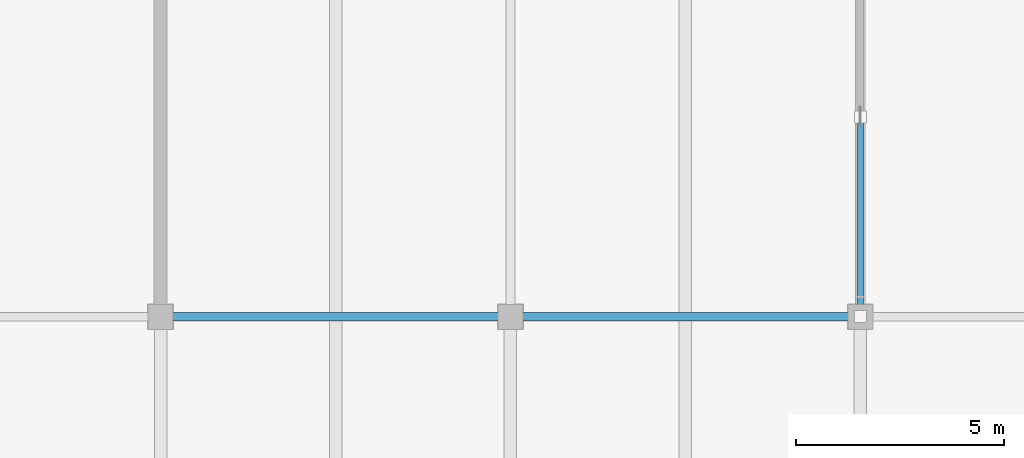
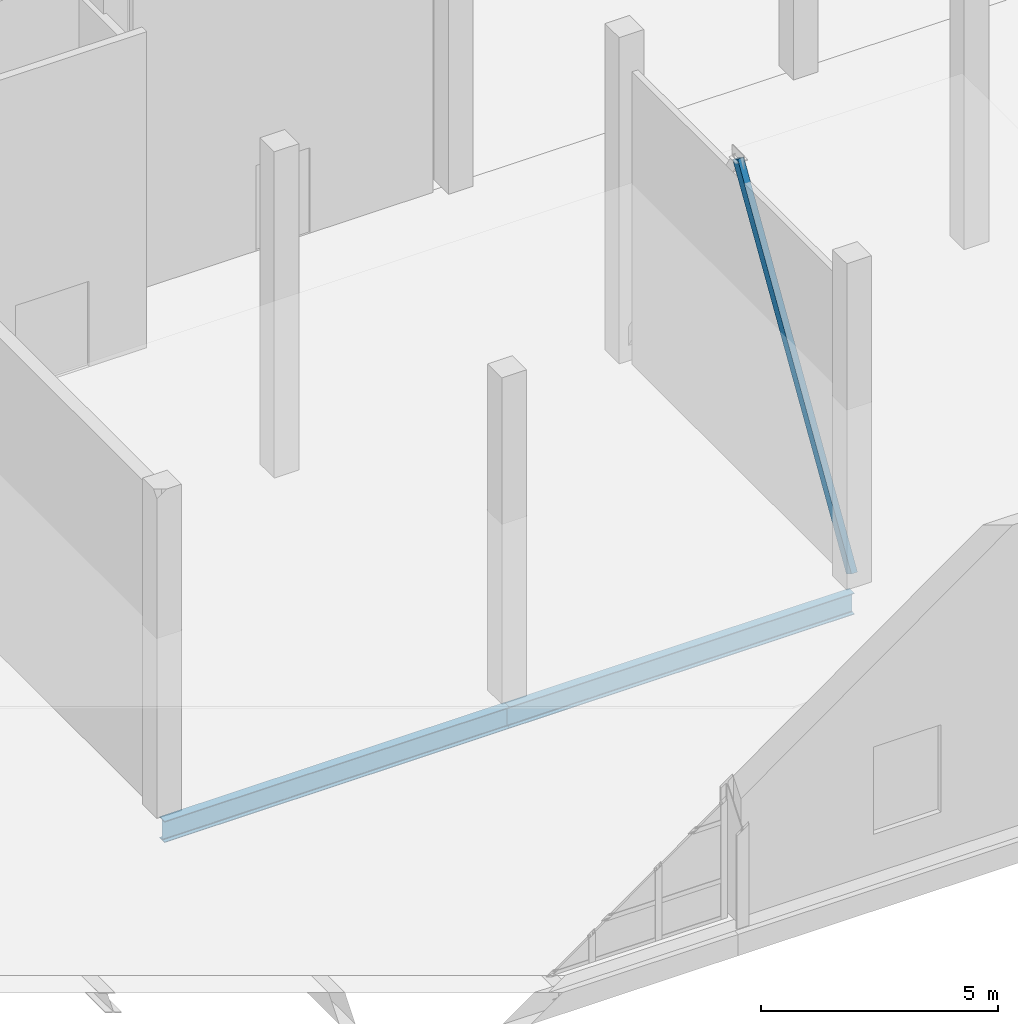
# One storey, part 84 of 131: 2 beams, 1 member.
"""IFC4 building model written with IfcOpenShell, lengths in metres."""

from ifc_helpers import new_model, si_unit, direction, frame, origin, origin_2d, place, context, subcontext, project, spatial, hollow_rectangle, i_section, extrude, material, material_profile, profile_set, type_object, element, save


model = new_model("IFC4")

# Units and contexts
model_context = context("Model", 3, precision=1e-05, world=origin(), true_north=direction((0.0, 1.0)))
body_context = subcontext(model_context, "Body", "Model", "MODEL_VIEW")
ifc_project = project(units=[si_unit("LENGTHUNIT", "METRE"), si_unit("AREAUNIT", "SQUARE_METRE"), si_unit("VOLUMEUNIT", "CUBIC_METRE"), si_unit("PLANEANGLEUNIT", "RADIAN"), si_unit("MASSUNIT", "GRAM", prefix="KILO")], contexts=[model_context])

# Site, building, storey
site_placement = place(None, origin())
site = spatial("IfcSite", under=ifc_project, at=site_placement, CompositionType="ELEMENT")
building_placement = place(site_placement, origin())
building = spatial("IfcBuilding", under=site, at=building_placement, Name="Veltarok Museum of Natural Sciences", CompositionType="ELEMENT")
storey_placement = place(building_placement, origin())
storey = spatial("IfcBuildingStorey", under=building, at=storey_placement, Name="L00", CompositionType="ELEMENT", Elevation=0.0)

# Beams
ifc_material_1 = material(Name="Steel S355J2", Category="steel")
ifc_material_profile_1 = material_profile(ifc_material_1, i_section(OverallWidth=0.2099609375, OverallDepth=0.550048828125, WebThickness=0.010986328125, FlangeThickness=0.01708984375, FilletRadius=0.02392578125, at=origin_2d()), Name="IPE 550")
ifc_profile_set_1 = profile_set([ifc_material_profile_1], Name="Steel S355J2")
beam_type = type_object("IfcBeamType", Name="Archive Heavy Girder IPE 550", PredefinedType="BEAM", material=ifc_profile_set_1)
beam_1_placement = place(storey_placement, frame((132.39990234375, 9.60009765625, -0.574951171875), z_axis=(1.0, 0.0, 0.0), x_axis=(0.0, 1.0, 0.0)))
element("IfcBeam", 1, at=beam_1_placement, inside=storey, type_object=beam_type, Name="Beam BM-G03 L00 16-17/B", PredefinedType="BEAM", context=body_context, shape_type="SweptSolid", body=[
    extrude(i_section(OverallWidth=0.2099609375, OverallDepth=0.550048828125, WebThickness=0.010986328125, FlangeThickness=0.01708984375, FilletRadius=0.02392578125, at=origin_2d()), origin(), (0.0, 0.0, 1.0), 8.400146484375),
])
beam_2_placement = place(storey_placement, frame((140.800048828125, 9.60009765625, -0.574951171875), z_axis=(1.0, 0.0, 0.0), x_axis=(0.0, 1.0, 0.0)))
element("IfcBeam", 2, at=beam_2_placement, inside=storey, type_object=beam_type, Name="Beam BM-G03 L00 17-18/B", PredefinedType="BEAM", context=body_context, shape_type="SweptSolid", body=[
    extrude(i_section(OverallWidth=0.2099609375, OverallDepth=0.550048828125, WebThickness=0.010986328125, FlangeThickness=0.01708984375, FilletRadius=0.02392578125, at=origin_2d()), origin(), (0.0, 0.0, 1.0), 8.39990234375),
])

# Member
ifc_material_2 = material(Name="Oxide-red painted Steel S355J2", Category="steel")
ifc_material_profile_2 = material_profile(ifc_material_2, hollow_rectangle(XDim=0.14990234375, YDim=0.25, WallThickness=0.010009765625, at=origin_2d()), Name="RHS 250x150x10")
ifc_profile_set_2 = profile_set([ifc_material_profile_2], Name="Oxide-red painted Steel S355J2")
member_type = type_object("IfcMemberType", Name="Perimeter Frame Lateral Brace RHS 250x150x10", PredefinedType="BRACE", material=ifc_profile_set_2)
member_placement = place(storey_placement, frame((149.199951171875, 9.60009765625, 0.14990234375), z_axis=(0.0, 0.525546376678, 0.850764953416), x_axis=(-1.0, 0.0, 0.0)))
element("IfcMember", 3, at=member_placement, inside=storey, type_object=member_type, Name="Chevron Lateral Brace L00 18/B-C", PredefinedType="BRACE", context=body_context, shape_type="SweptSolid", body=[
    extrude(hollow_rectangle(XDim=0.14990234375, YDim=0.25, WallThickness=0.010009765625, at=origin_2d()), origin(), (0.0, 0.0, 1.0), 9.133056640625),
])

save(model, "model.ifc")
